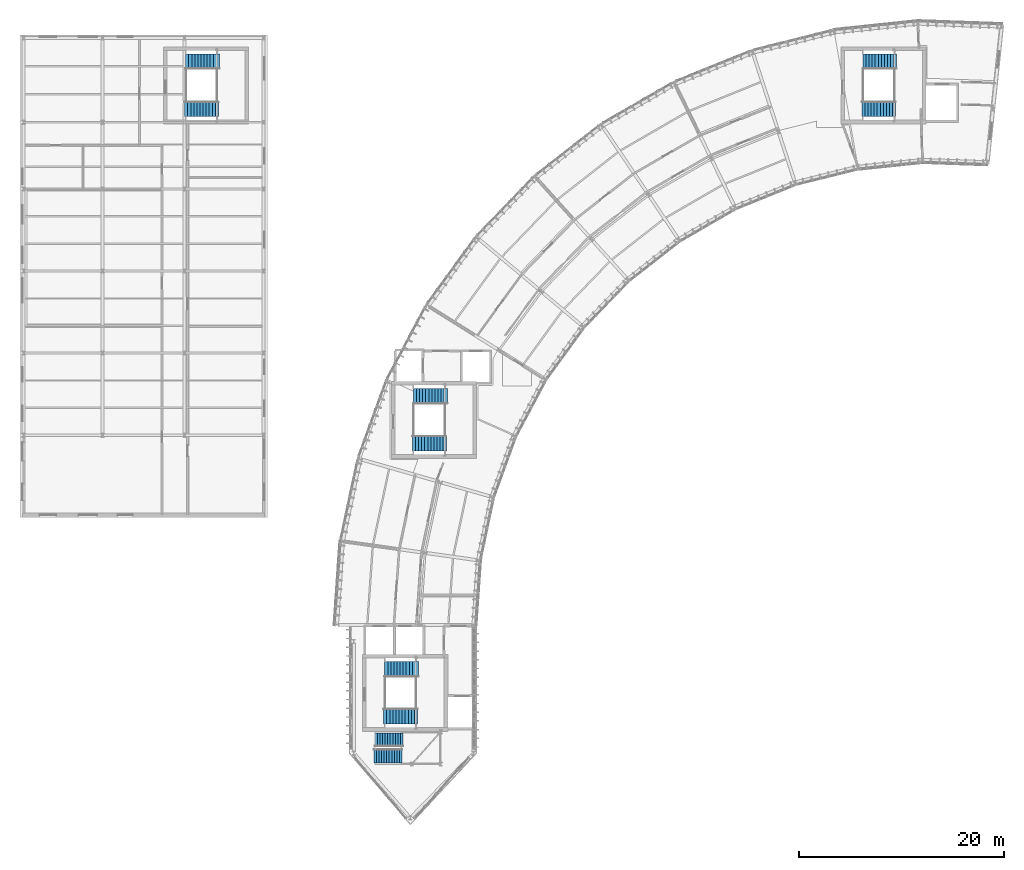
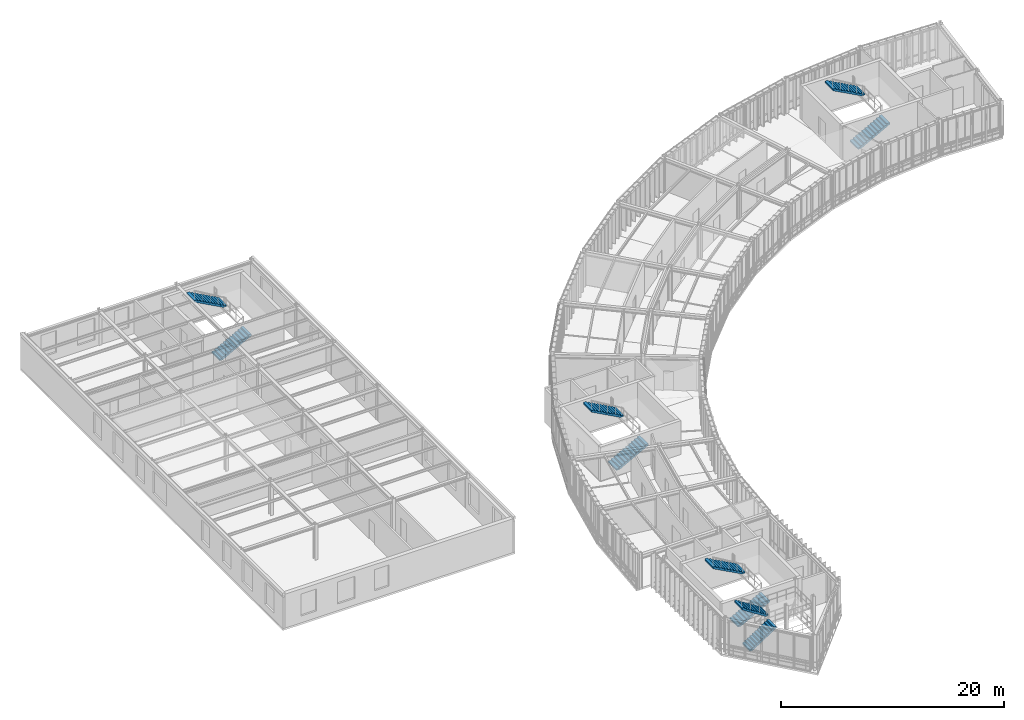
# One storey, part 32 of 41: 10 stair flights, 5 elements without a shape of their own.
"""IFC4 building model written with IfcOpenShell, lengths in metres."""

from ifc_helpers import new_model, si_unit, direction, frame, origin, place, context, subcontext, project, spatial, polyline, outline, extrude, material, type_object, element, aggregate, save


model = new_model("IFC4")

# Units and contexts
model_context = context("Model", 3, precision=1e-05, world=origin(), true_north=direction((0.0, 1.0)))
body_context = subcontext(model_context, "Body", "Model", "MODEL_VIEW")
ifc_project = project(units=[si_unit("LENGTHUNIT", "METRE"), si_unit("AREAUNIT", "SQUARE_METRE"), si_unit("VOLUMEUNIT", "CUBIC_METRE"), si_unit("PLANEANGLEUNIT", "RADIAN"), si_unit("MASSUNIT", "GRAM", prefix="KILO"), si_unit("THERMODYNAMICTEMPERATUREUNIT", "KELVIN"), si_unit("POWERUNIT", "WATT")], contexts=[model_context])

# Site, building, storey
site_placement = place(None, origin())
site = spatial("IfcSite", under=ifc_project, at=site_placement, CompositionType="ELEMENT")
building_placement = place(site_placement, origin())
building = spatial("IfcBuilding", under=site, at=building_placement, Name="Solvatero Civic Police Headquarters", CompositionType="ELEMENT")
storey_placement = place(building_placement, frame((0.0, 0.0, 17.699951171875)))
storey = spatial("IfcBuildingStorey", under=building, at=storey_placement, Name="L04", CompositionType="ELEMENT", Elevation=17.699951171875)

# Stair, stair flights
ifc_material = material(Name="Precast concrete C40/50", Category="concrete")
stair_type_1 = type_object("IfcStairType", Name="STR-C145-390", PredefinedType="HALF_TURN_STAIR", material=ifc_material)
stair_1_placement = place(storey_placement, origin())
stair_1 = element("IfcStair", 1, at=stair_1_placement, inside=storey, type_object=stair_type_1, Name="Protected Exit Stair ST-C3 (L04 to L05)", PredefinedType="HALF_TURN_STAIR")
stair_flight_type_1 = type_object("IfcStairFlightType", Name="SFL-STR-C145-390", PredefinedType="STRAIGHT", material=ifc_material)
stair_flight_1_placement = place(storey_placement, frame((86.5, 76.27490234375, 0.0), z_axis=(0.0, 0.0, 1.0), x_axis=(1.0, 0.0, 0.0)))
stair_flight_1 = element("IfcStairFlight", 2, at=stair_flight_1_placement, type_object=stair_flight_type_1, Name="ST-C3 L04 Flight 1", NumberOfRisers=12, NumberOfTreads=11, PredefinedType="STRAIGHT", RiserHeight=0.1625, TreadLength=0.3, context=body_context, shape_type="SweptSolid", body=[
    extrude(outline(polyline([(0.0, 0.0), (0.0, 0.16259765625), (0.300048828125, 0.16259765625), (0.300048828125, 0.324951171875), (0.60009765625, 0.324951171875), (0.60009765625, 0.487548828125), (0.89990234375, 0.487548828125), (0.89990234375, 0.64990234375), (1.199951171875, 0.64990234375), (1.199951171875, 0.8125), (1.5, 0.8125), (1.5, 0.97509765625), (1.800048828125, 0.97509765625), (1.800048828125, 1.137451171875), (2.10009765625, 1.137451171875), (2.10009765625, 1.300048828125), (2.39990234375, 1.300048828125), (2.39990234375, 1.46240234375), (2.699951171875, 1.46240234375), (2.699951171875, 1.625), (3.0, 1.625), (3.0, 1.78759765625), (3.300048828125, 1.78759765625), (3.300048828125, 1.949951171875), (3.300048828125, 1.605712890625), (0.335693359375, 0.0), (0.0, 0.0)])), frame((0.0, 0.72509765625, 0.0), z_axis=(0.0, -1.0, 0.0), x_axis=(1.0, 0.0, 0.0)), (0.0, 0.0, 1.0), 1.449951171875),
])
stair_flight_2_placement = place(storey_placement, frame((89.89990234375, 80.925048828125, 1.949951171875), z_axis=(0.0, 0.0, 1.0), x_axis=(-1.0, 0.0, 0.0)))
stair_flight_2 = element("IfcStairFlight", 3, at=stair_flight_2_placement, type_object=stair_flight_type_1, Name="ST-C3 L04 Flight 2", NumberOfRisers=12, NumberOfTreads=11, PredefinedType="STRAIGHT", RiserHeight=0.1625, TreadLength=0.3, context=body_context, shape_type="SweptSolid", body=[
    extrude(outline(polyline([(0.0, 0.0), (0.0, 0.16259765625), (0.300048828125, 0.16259765625), (0.300048828125, 0.324951171875), (0.60009765625, 0.324951171875), (0.60009765625, 0.487548828125), (0.89990234375, 0.487548828125), (0.89990234375, 0.64990234375), (1.199951171875, 0.64990234375), (1.199951171875, 0.8125), (1.5, 0.8125), (1.5, 0.97509765625), (1.800048828125, 0.97509765625), (1.800048828125, 1.137451171875), (2.10009765625, 1.137451171875), (2.10009765625, 1.300048828125), (2.39990234375, 1.300048828125), (2.39990234375, 1.46240234375), (2.699951171875, 1.46240234375), (2.699951171875, 1.625), (3.0, 1.625), (3.0, 1.78759765625), (3.300048828125, 1.78759765625), (3.300048828125, 1.949951171875), (3.300048828125, 1.605712890625), (0.335693359375, 0.0), (0.0, 0.0)])), frame((0.0, 0.72509765625, 0.0), z_axis=(0.0, -1.0, 0.0), x_axis=(1.0, 0.0, 0.0)), (0.0, 0.0, 1.0), 1.449951171875),
])
aggregate(stair_1, [stair_flight_1, stair_flight_2])

stair_2_placement = place(storey_placement, origin())
stair_2 = element("IfcStair", 4, at=stair_2_placement, inside=storey, type_object=stair_type_1, Name="Protected Exit Stair ST-C4 (L04 to L05)", PredefinedType="HALF_TURN_STAIR")
stair_flight_3_placement = place(storey_placement, frame((20.5, 76.27490234375, 0.0), z_axis=(0.0, 0.0, 1.0), x_axis=(1.0, 0.0, 0.0)))
stair_flight_3 = element("IfcStairFlight", 5, at=stair_flight_3_placement, type_object=stair_flight_type_1, Name="ST-C4 L04 Flight 1", NumberOfRisers=12, NumberOfTreads=11, PredefinedType="STRAIGHT", RiserHeight=0.1625, TreadLength=0.3, context=body_context, shape_type="SweptSolid", body=[
    extrude(outline(polyline([(0.0, 0.0), (0.0, 0.16259765625), (0.300048828125, 0.16259765625), (0.300048828125, 0.324951171875), (0.60009765625, 0.324951171875), (0.60009765625, 0.487548828125), (0.89990234375, 0.487548828125), (0.89990234375, 0.64990234375), (1.199951171875, 0.64990234375), (1.199951171875, 0.8125), (1.5, 0.8125), (1.5, 0.97509765625), (1.800048828125, 0.97509765625), (1.800048828125, 1.137451171875), (2.10009765625, 1.137451171875), (2.10009765625, 1.300048828125), (2.39990234375, 1.300048828125), (2.39990234375, 1.46240234375), (2.699951171875, 1.46240234375), (2.699951171875, 1.625), (3.0, 1.625), (3.0, 1.78759765625), (3.300048828125, 1.78759765625), (3.300048828125, 1.949951171875), (3.300048828125, 1.605712890625), (0.335693359375, 0.0), (0.0, 0.0)])), frame((0.0, 0.72509765625, 0.0), z_axis=(0.0, -1.0, 0.0), x_axis=(1.0, 0.0, 0.0)), (0.0, 0.0, 1.0), 1.449951171875),
])
stair_flight_4_placement = place(storey_placement, frame((23.89990234375, 80.925048828125, 1.949951171875), z_axis=(0.0, 0.0, 1.0), x_axis=(-1.0, 0.0, 0.0)))
stair_flight_4 = element("IfcStairFlight", 6, at=stair_flight_4_placement, type_object=stair_flight_type_1, Name="ST-C4 L04 Flight 2", NumberOfRisers=12, NumberOfTreads=11, PredefinedType="STRAIGHT", RiserHeight=0.1625, TreadLength=0.3, context=body_context, shape_type="SweptSolid", body=[
    extrude(outline(polyline([(0.0, 0.0), (0.0, 0.16259765625), (0.300048828125, 0.16259765625), (0.300048828125, 0.324951171875), (0.60009765625, 0.324951171875), (0.60009765625, 0.487548828125), (0.89990234375, 0.487548828125), (0.89990234375, 0.64990234375), (1.199951171875, 0.64990234375), (1.199951171875, 0.8125), (1.5, 0.8125), (1.5, 0.97509765625), (1.800048828125, 0.97509765625), (1.800048828125, 1.137451171875), (2.10009765625, 1.137451171875), (2.10009765625, 1.300048828125), (2.39990234375, 1.300048828125), (2.39990234375, 1.46240234375), (2.699951171875, 1.46240234375), (2.699951171875, 1.625), (3.0, 1.625), (3.0, 1.78759765625), (3.300048828125, 1.78759765625), (3.300048828125, 1.949951171875), (3.300048828125, 1.605712890625), (0.335693359375, 0.0), (0.0, 0.0)])), frame((0.0, 0.72509765625, 0.0), z_axis=(0.0, -1.0, 0.0), x_axis=(1.0, 0.0, 0.0)), (0.0, 0.0, 1.0), 1.449951171875),
])
aggregate(stair_2, [stair_flight_3, stair_flight_4])

stair_type_2 = type_object("IfcStairType", Name="STR-C150-390", PredefinedType="HALF_TURN_STAIR", material=ifc_material)
stair_3_placement = place(storey_placement, origin())
stair_3 = element("IfcStair", 7, at=stair_3_placement, inside=storey, type_object=stair_type_2, Name="Protected Exit Stair ST-C1 (L04 to L05)", PredefinedType="HALF_TURN_STAIR")
stair_flight_type_2 = type_object("IfcStairFlightType", Name="SFL-STR-C150-390", PredefinedType="STRAIGHT", material=ifc_material)
stair_flight_5_placement = place(storey_placement, frame((39.89990234375, 17.10009765625, 0.0), z_axis=(0.0, 0.0, 1.0), x_axis=(1.0, 0.0, 0.0)))
stair_flight_5 = element("IfcStairFlight", 8, at=stair_flight_5_placement, type_object=stair_flight_type_2, Name="ST-C1 L04 Flight 1", NumberOfRisers=12, NumberOfTreads=11, PredefinedType="STRAIGHT", RiserHeight=0.1625, TreadLength=0.3, context=body_context, shape_type="SweptSolid", body=[
    extrude(outline(polyline([(0.0, 0.0), (0.0, 0.16259765625), (0.300048828125, 0.16259765625), (0.300048828125, 0.324951171875), (0.60009765625, 0.324951171875), (0.60009765625, 0.487548828125), (0.89990234375, 0.487548828125), (0.89990234375, 0.64990234375), (1.199951171875, 0.64990234375), (1.199951171875, 0.8125), (1.5, 0.8125), (1.5, 0.97509765625), (1.800048828125, 0.97509765625), (1.800048828125, 1.137451171875), (2.10009765625, 1.137451171875), (2.10009765625, 1.300048828125), (2.39990234375, 1.300048828125), (2.39990234375, 1.46240234375), (2.699951171875, 1.46240234375), (2.699951171875, 1.625), (3.0, 1.625), (3.0, 1.78759765625), (3.300048828125, 1.78759765625), (3.300048828125, 1.949951171875), (3.300048828125, 1.605712890625), (0.335693359375, 0.0), (0.0, 0.0)])), frame((0.0, 0.75, 0.0), z_axis=(0.0, -1.0, 0.0), x_axis=(1.0, 0.0, 0.0)), (0.0, 0.0, 1.0), 1.5),
])
stair_flight_6_placement = place(storey_placement, frame((43.300048828125, 21.699951171875, 1.949951171875), z_axis=(0.0, 0.0, 1.0), x_axis=(-1.0, 0.0, 0.0)))
stair_flight_6 = element("IfcStairFlight", 9, at=stair_flight_6_placement, type_object=stair_flight_type_2, Name="ST-C1 L04 Flight 2", NumberOfRisers=12, NumberOfTreads=11, PredefinedType="STRAIGHT", RiserHeight=0.1625, TreadLength=0.3, context=body_context, shape_type="SweptSolid", body=[
    extrude(outline(polyline([(0.0, 0.0), (0.0, 0.16259765625), (0.300048828125, 0.16259765625), (0.300048828125, 0.324951171875), (0.60009765625, 0.324951171875), (0.60009765625, 0.487548828125), (0.89990234375, 0.487548828125), (0.89990234375, 0.64990234375), (1.199951171875, 0.64990234375), (1.199951171875, 0.8125), (1.5, 0.8125), (1.5, 0.97509765625), (1.800048828125, 0.97509765625), (1.800048828125, 1.137451171875), (2.10009765625, 1.137451171875), (2.10009765625, 1.300048828125), (2.39990234375, 1.300048828125), (2.39990234375, 1.46240234375), (2.699951171875, 1.46240234375), (2.699951171875, 1.625), (3.0, 1.625), (3.0, 1.78759765625), (3.300048828125, 1.78759765625), (3.300048828125, 1.949951171875), (3.300048828125, 1.605712890625), (0.335693359375, 0.0), (0.0, 0.0)])), frame((0.0, 0.75, 0.0), z_axis=(0.0, -1.0, 0.0), x_axis=(1.0, 0.0, 0.0)), (0.0, 0.0, 1.0), 1.5),
])
aggregate(stair_3, [stair_flight_5, stair_flight_6])

stair_4_placement = place(storey_placement, origin())
stair_4 = element("IfcStair", 10, at=stair_4_placement, inside=storey, type_object=stair_type_2, Name="Protected Exit Stair ST-C2 (L04 to L05)", PredefinedType="HALF_TURN_STAIR")
stair_flight_7_placement = place(storey_placement, frame((42.699951171875, 43.699951171875, 0.0), z_axis=(0.0, 0.0, 1.0), x_axis=(1.0, 0.0, 0.0)))
stair_flight_7 = element("IfcStairFlight", 11, at=stair_flight_7_placement, type_object=stair_flight_type_2, Name="ST-C2 L04 Flight 1", NumberOfRisers=12, NumberOfTreads=11, PredefinedType="STRAIGHT", RiserHeight=0.1625, TreadLength=0.3, context=body_context, shape_type="SweptSolid", body=[
    extrude(outline(polyline([(0.0, 0.0), (0.0, 0.16259765625), (0.300048828125, 0.16259765625), (0.300048828125, 0.324951171875), (0.60009765625, 0.324951171875), (0.60009765625, 0.487548828125), (0.89990234375, 0.487548828125), (0.89990234375, 0.64990234375), (1.199951171875, 0.64990234375), (1.199951171875, 0.8125), (1.5, 0.8125), (1.5, 0.97509765625), (1.800048828125, 0.97509765625), (1.800048828125, 1.137451171875), (2.10009765625, 1.137451171875), (2.10009765625, 1.300048828125), (2.39990234375, 1.300048828125), (2.39990234375, 1.46240234375), (2.699951171875, 1.46240234375), (2.699951171875, 1.625), (3.0, 1.625), (3.0, 1.78759765625), (3.300048828125, 1.78759765625), (3.300048828125, 1.949951171875), (3.300048828125, 1.605712890625), (0.335693359375, 0.0), (0.0, 0.0)])), frame((0.0, 0.75, 0.0), z_axis=(0.0, -1.0, 0.0), x_axis=(1.0, 0.0, 0.0)), (0.0, 0.0, 1.0), 1.5),
])
stair_flight_8_placement = place(storey_placement, frame((46.10009765625, 48.300048828125, 1.949951171875), z_axis=(0.0, 0.0, 1.0), x_axis=(-1.0, 0.0, 0.0)))
stair_flight_8 = element("IfcStairFlight", 12, at=stair_flight_8_placement, type_object=stair_flight_type_2, Name="ST-C2 L04 Flight 2", NumberOfRisers=12, NumberOfTreads=11, PredefinedType="STRAIGHT", RiserHeight=0.1625, TreadLength=0.3, context=body_context, shape_type="SweptSolid", body=[
    extrude(outline(polyline([(0.0, 0.0), (0.0, 0.16259765625), (0.300048828125, 0.16259765625), (0.300048828125, 0.324951171875), (0.60009765625, 0.324951171875), (0.60009765625, 0.487548828125), (0.89990234375, 0.487548828125), (0.89990234375, 0.64990234375), (1.199951171875, 0.64990234375), (1.199951171875, 0.8125), (1.5, 0.8125), (1.5, 0.97509765625), (1.800048828125, 0.97509765625), (1.800048828125, 1.137451171875), (2.10009765625, 1.137451171875), (2.10009765625, 1.300048828125), (2.39990234375, 1.300048828125), (2.39990234375, 1.46240234375), (2.699951171875, 1.46240234375), (2.699951171875, 1.625), (3.0, 1.625), (3.0, 1.78759765625), (3.300048828125, 1.78759765625), (3.300048828125, 1.949951171875), (3.300048828125, 1.605712890625), (0.335693359375, 0.0), (0.0, 0.0)])), frame((0.0, 0.75, 0.0), z_axis=(0.0, -1.0, 0.0), x_axis=(1.0, 0.0, 0.0)), (0.0, 0.0, 1.0), 1.5),
])
aggregate(stair_4, [stair_flight_7, stair_flight_8])

stair_type_3 = type_object("IfcStairType", Name="STR-PRW-390", PredefinedType="HALF_TURN_STAIR", material=ifc_material)
stair_5_placement = place(storey_placement, origin())
stair_5 = element("IfcStair", 13, at=stair_5_placement, inside=storey, type_object=stair_type_3, Name="Glazed Prow Ceremonial Stair (L04 to L05)", PredefinedType="HALF_TURN_STAIR")
stair_flight_type_3 = type_object("IfcStairFlightType", Name="SFL-STR-PRW-390", PredefinedType="STRAIGHT", material=ifc_material)
stair_flight_9_placement = place(storey_placement, frame((38.93994140625, 13.219970703125, 0.0), z_axis=(0.0, 0.0, 1.0), x_axis=(1.0, 0.0, 0.0)))
stair_flight_9 = element("IfcStairFlight", 14, at=stair_flight_9_placement, type_object=stair_flight_type_3, Name="ST-PRW L04 Flight 1", NumberOfRisers=12, NumberOfTreads=11, PredefinedType="STRAIGHT", RiserHeight=0.1625, TreadLength=0.25, context=body_context, shape_type="SweptSolid", body=[
    extrude(outline(polyline([(0.0, 0.0), (0.0, 0.16259765625), (0.25, 0.16259765625), (0.25, 0.324951171875), (0.5, 0.324951171875), (0.5, 0.487548828125), (0.75, 0.487548828125), (0.75, 0.64990234375), (1.0, 0.64990234375), (1.0, 0.8125), (1.25, 0.8125), (1.25, 0.97509765625), (1.5, 0.97509765625), (1.5, 1.137451171875), (1.75, 1.137451171875), (1.75, 1.300048828125), (2.0, 1.300048828125), (2.0, 1.46240234375), (2.25, 1.46240234375), (2.25, 1.625), (2.5, 1.625), (2.5, 1.78759765625), (2.75, 1.78759765625), (2.75, 1.949951171875), (2.75, 1.5966796875), (0.29345703125, 0.0), (0.0, 0.0)])), frame((0.0, 0.68017578125, 0.0), z_axis=(0.0, -1.0, 0.0), x_axis=(1.0, 0.0, 0.0)), (0.0, 0.0, 1.0), 1.360107421875),
])
stair_flight_10_placement = place(storey_placement, frame((41.7900390625, 14.820068359375, 1.949951171875), z_axis=(0.0, 0.0, 1.0), x_axis=(-1.0, 0.0, 0.0)))
stair_flight_10 = element("IfcStairFlight", 15, at=stair_flight_10_placement, type_object=stair_flight_type_3, Name="ST-PRW L04 Flight 2", NumberOfRisers=12, NumberOfTreads=11, PredefinedType="STRAIGHT", RiserHeight=0.1625, TreadLength=0.25, context=body_context, shape_type="SweptSolid", body=[
    extrude(outline(polyline([(0.0, 0.0), (0.0, 0.16259765625), (0.25, 0.16259765625), (0.25, 0.324951171875), (0.5, 0.324951171875), (0.5, 0.487548828125), (0.75, 0.487548828125), (0.75, 0.64990234375), (1.0, 0.64990234375), (1.0, 0.8125), (1.25, 0.8125), (1.25, 0.97509765625), (1.5, 0.97509765625), (1.5, 1.137451171875), (1.75, 1.137451171875), (1.75, 1.300048828125), (2.0, 1.300048828125), (2.0, 1.46240234375), (2.25, 1.46240234375), (2.25, 1.625), (2.5, 1.625), (2.5, 1.78759765625), (2.75, 1.78759765625), (2.75, 1.949951171875), (2.75, 1.5966796875), (0.29345703125, 0.0), (0.0, 0.0)])), frame((0.0, 0.68017578125, 0.0), z_axis=(0.0, -1.0, 0.0), x_axis=(1.0, 0.0, 0.0)), (0.0, 0.0, 1.0), 1.360107421875),
])
aggregate(stair_5, [stair_flight_9, stair_flight_10])

save(model, "model.ifc")
